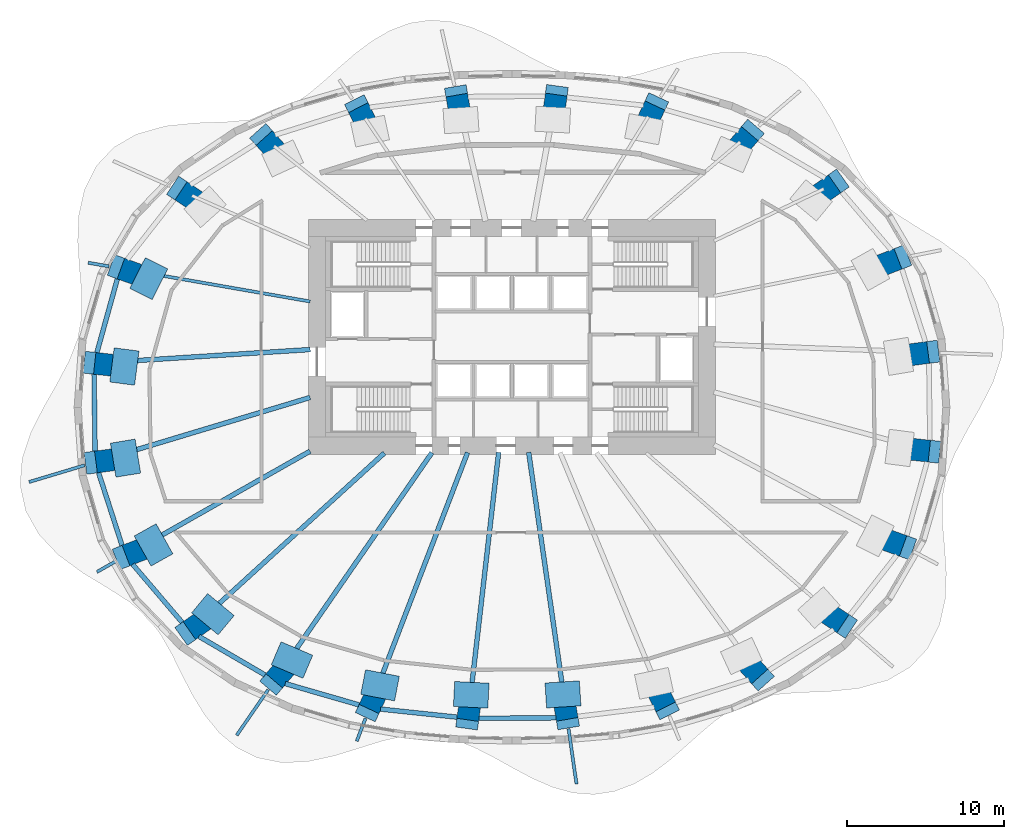
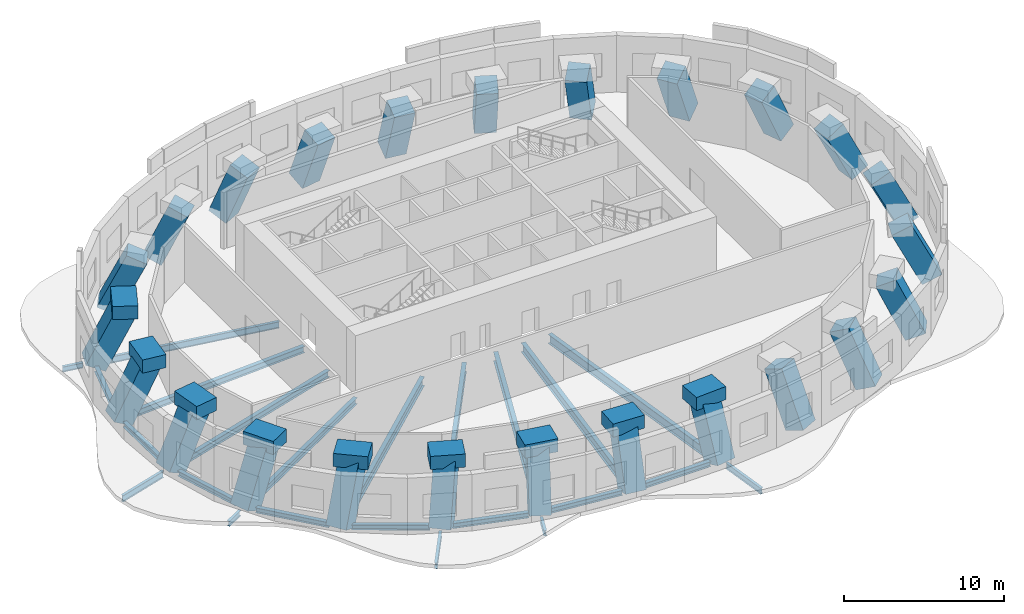
# One storey, part 1 of 9: 32 beams, 24 columns.
"""IFC4 building model written with IfcOpenShell, lengths in metres."""

from ifc_helpers import new_model, si_unit, direction, frame, origin, origin_2d, place, context, subcontext, project, spatial, rectangle, i_section, extrude, material, material_profile, profile_set, type_object, element, save


model = new_model("IFC4")

# Units and contexts
model_context = context("Model", 3, precision=1e-05, world=origin(), true_north=direction((0.0, 1.0)))
body_context = subcontext(model_context, "Body", "Model", "MODEL_VIEW")
ifc_project = project(units=[si_unit("LENGTHUNIT", "METRE"), si_unit("AREAUNIT", "SQUARE_METRE"), si_unit("VOLUMEUNIT", "CUBIC_METRE"), si_unit("PLANEANGLEUNIT", "RADIAN"), si_unit("MASSUNIT", "GRAM", prefix="KILO")], contexts=[model_context])

# Site, building, storey
site_placement = place(None, origin())
site = spatial("IfcSite", under=ifc_project, at=site_placement, CompositionType="ELEMENT")
building_placement = place(site_placement, origin())
building = spatial("IfcBuilding", under=site, at=building_placement, Name="Rubra Terraces Tower", CompositionType="ELEMENT")
storey_placement = place(building_placement, frame((0.0, 0.0, 77.10009765625)))
storey = spatial("IfcBuildingStorey", under=building, at=storey_placement, Name="L17", CompositionType="ELEMENT", Elevation=77.10009765625)

# Columns
ifc_material_1 = material(Name="Concrete C60", Category="concrete")
ifc_material_profile_1 = material_profile(ifc_material_1, rectangle(XDim=1.39990234375, YDim=1.39990234375, at=origin_2d()), Name="RC 1400x1400")
ifc_profile_set_1 = profile_set([ifc_material_profile_1], Name="Concrete C60")
column_type = type_object("IfcColumnType", Name="RING COLUMN RC 1400x1400 C60", PredefinedType="COLUMN", material=ifc_profile_set_1)
column_1_placement = place(storey_placement, frame((26.60498046875, 3.5029296875, -0.486083984375), z_axis=(-0.437424329961, -0.05758776803, 0.897409385137), x_axis=(0.130525663052, -0.99144493104, 0.0)))
element("IfcColumn", 1, at=column_1_placement, inside=storey, type_object=column_type, Name="column-L17-ring-01", PredefinedType="COLUMN", context=body_context, shape_type="SweptSolid", body=[
    extrude(rectangle(XDim=1.39990234375, YDim=1.39990234375, at=origin_2d()), origin(), (0.0, 0.0, 1.0), 4.426025390625),
])
column_2_placement = place(storey_placement, frame((24.676025390625, 9.48291015625, -0.489990234375), z_axis=(-0.406404807836, -0.157350047865, 0.900042273787), x_axis=(0.361058075799, -0.932543331915, 0.0)))
element("IfcColumn", 2, at=column_2_placement, inside=storey, type_object=column_type, Name="column-L17-ring-02", PredefinedType="COLUMN", context=body_context, shape_type="SweptSolid", body=[
    extrude(rectangle(XDim=1.39990234375, YDim=1.39990234375, at=origin_2d()), origin(), (0.0, 0.0, 1.0), 4.421875),
])
column_3_placement = place(storey_placement, frame((20.60009765625, 14.26611328125, -0.503173828125), z_axis=(-0.342028722552, -0.239757870916, 0.908588199507), x_axis=(0.574004932865, -0.818851840718, 0.0)))
element("IfcColumn", 3, at=column_3_placement, inside=storey, type_object=column_type, Name="column-L17-ring-03", PredefinedType="COLUMN", context=body_context, shape_type="SweptSolid", body=[
    extrude(rectangle(XDim=1.39990234375, YDim=1.39990234375, at=origin_2d()), origin(), (0.0, 0.0, 1.0), 4.4091796875),
])
column_4_placement = place(storey_placement, frame((15.156982421875, 17.44091796875, -0.52099609375), z_axis=(-0.253907371745, -0.297161134657, 0.920448970135), x_axis=(0.760269764075, -0.649607485974, 0.0)))
element("IfcColumn", 4, at=column_4_placement, inside=storey, type_object=column_type, Name="column-L17-ring-04", PredefinedType="COLUMN", context=body_context, shape_type="SweptSolid", body=[
    extrude(rectangle(XDim=1.39990234375, YDim=1.39990234375, at=origin_2d()), origin(), (0.0, 0.0, 1.0), 4.391357421875),
])
column_5_placement = place(storey_placement, frame((9.093994140625, 19.19189453125, -0.541015625), z_axis=(-0.15334867667, -0.329320740959, 0.931682366978), x_axis=(0.906535510121, -0.422129564104, 0.0)))
element("IfcColumn", 5, at=column_5_placement, inside=storey, type_object=column_type, Name="column-L17-ring-05", PredefinedType="COLUMN", context=body_context, shape_type="SweptSolid", body=[
    extrude(rectangle(XDim=1.39990234375, YDim=1.39990234375, at=origin_2d()), origin(), (0.0, 0.0, 1.0), 4.38134765625),
])
column_6_placement = place(storey_placement, frame((2.81103515625, 19.85400390625, -0.552978515625), z_axis=(-0.047767571246, -0.341962239014, 0.938498847216), x_axis=(0.990384307253, -0.138343499838, 0.0)))
element("IfcColumn", 6, at=column_6_placement, inside=storey, type_object=column_type, Name="column-L17-ring-06", PredefinedType="COLUMN", context=body_context, shape_type="SweptSolid", body=[
    extrude(rectangle(XDim=1.39990234375, YDim=1.39990234375, at=origin_2d()), origin(), (0.0, 0.0, 1.0), 4.375),
])
column_7_placement = place(storey_placement, frame((-3.509033203125, 19.823974609375, -0.552978515625), z_axis=(0.058291782188, -0.341327670053, 0.938135112756), x_axis=(0.985728602585, 0.168342276467, 0.0)))
element("IfcColumn", 7, at=column_7_placement, inside=storey, type_object=column_type, Name="column-L17-ring-07", PredefinedType="COLUMN", context=body_context, shape_type="SweptSolid", body=[
    extrude(rectangle(XDim=1.39990234375, YDim=1.39990234375, at=origin_2d()), origin(), (0.0, 0.0, 1.0), 4.376708984375),
])
column_8_placement = place(storey_placement, frame((-9.780029296875, 19.05810546875, -0.5390625), z_axis=(0.163654041419, -0.327085196844, 0.930716191292), x_axis=(0.894305276314, 0.447457341829, 0.0)))
element("IfcColumn", 8, at=column_8_placement, inside=storey, type_object=column_type, Name="column-L17-ring-08", PredefinedType="COLUMN", context=body_context, shape_type="SweptSolid", body=[
    extrude(rectangle(XDim=1.39990234375, YDim=1.39990234375, at=origin_2d()), origin(), (0.0, 0.0, 1.0), 4.38134765625),
])
column_9_placement = place(storey_placement, frame((-15.799072265625, 17.1650390625, -0.52001953125), z_axis=(0.263090632585, -0.292205625505, 0.919455921439), x_axis=(0.743160626591, 0.669113057028, 0.0)))
element("IfcColumn", 9, at=column_9_placement, inside=storey, type_object=column_type, Name="column-L17-ring-09", PredefinedType="COLUMN", context=body_context, shape_type="SweptSolid", body=[
    extrude(rectangle(XDim=1.39990234375, YDim=1.39990234375, at=origin_2d()), origin(), (0.0, 0.0, 1.0), 4.39404296875),
])
column_10_placement = place(storey_placement, frame((-21.135009765625, 13.81689453125, -0.5009765625), z_axis=(0.349660781427, -0.232848835763, 0.907479342804), x_axis=(0.554274366932, 0.832334023191, 0.0)))
element("IfcColumn", 10, at=column_10_placement, inside=storey, type_object=column_type, Name="column-L17-ring-10", PredefinedType="COLUMN", context=body_context, shape_type="SweptSolid", body=[
    extrude(rectangle(XDim=1.39990234375, YDim=1.39990234375, at=origin_2d()), origin(), (0.0, 0.0, 1.0), 4.409912109375),
])
column_11_placement = place(storey_placement, frame((-25.0029296875, 8.865966796875, -0.489013671875), z_axis=(0.411038008835, -0.148329187448, 0.899469959167), x_axis=(0.339439573807, 0.940627862512, 0.0)))
element("IfcColumn", 11, at=column_11_placement, inside=storey, type_object=column_type, Name="column-L17-ring-11", PredefinedType="COLUMN", context=body_context, shape_type="SweptSolid", body=[
    extrude(rectangle(XDim=1.39990234375, YDim=1.39990234375, at=origin_2d()), origin(), (0.0, 0.0, 1.0), 4.422607421875),
])
column_12_placement = place(storey_placement, frame((-26.68408203125, 2.80810546875, -0.486083984375), z_axis=(0.438598518342, -0.047219259427, 0.897441742537), x_axis=(0.107040869818, 0.994254621407, 0.0)))
element("IfcColumn", 12, at=column_12_placement, inside=storey, type_object=column_type, Name="column-L17-ring-12", PredefinedType="COLUMN", context=body_context, shape_type="SweptSolid", body=[
    extrude(rectangle(XDim=1.39990234375, YDim=1.39990234375, at=origin_2d()), origin(), (0.0, 0.0, 1.0), 4.42578125),
])
column_13_placement = place(storey_placement, frame((-26.60498046875, -3.5029296875, -0.486083984375), z_axis=(0.437424329961, 0.05758776803, 0.897409385137), x_axis=(-0.130525663052, 0.99144493104, 0.0)))
element("IfcColumn", 13, at=column_13_placement, inside=storey, type_object=column_type, Name="column-L17-ring-13", PredefinedType="COLUMN", context=body_context, shape_type="SweptSolid", body=[
    extrude(rectangle(XDim=1.39990234375, YDim=1.39990234375, at=origin_2d()), origin(), (0.0, 0.0, 1.0), 4.426025390625),
])
column_14_placement = place(storey_placement, frame((-24.676025390625, -9.48291015625, -0.489990234375), z_axis=(0.406404807836, 0.157350047865, 0.900042273787), x_axis=(-0.361058075799, 0.932543331915, 0.0)))
element("IfcColumn", 14, at=column_14_placement, inside=storey, type_object=column_type, Name="column-L17-ring-14", PredefinedType="COLUMN", context=body_context, shape_type="SweptSolid", body=[
    extrude(rectangle(XDim=1.39990234375, YDim=1.39990234375, at=origin_2d()), origin(), (0.0, 0.0, 1.0), 4.421875),
])
column_15_placement = place(storey_placement, frame((-20.60009765625, -14.26611328125, -0.503173828125), z_axis=(0.342028722552, 0.239757870916, 0.908588199507), x_axis=(-0.574004932865, 0.818851840718, 0.0)))
element("IfcColumn", 15, at=column_15_placement, inside=storey, type_object=column_type, Name="column-L17-ring-15", PredefinedType="COLUMN", context=body_context, shape_type="SweptSolid", body=[
    extrude(rectangle(XDim=1.39990234375, YDim=1.39990234375, at=origin_2d()), origin(), (0.0, 0.0, 1.0), 4.4091796875),
])
column_16_placement = place(storey_placement, frame((-15.156982421875, -17.44091796875, -0.52099609375), z_axis=(0.253907371745, 0.297161134657, 0.920448970135), x_axis=(-0.760269764075, 0.649607485974, 0.0)))
element("IfcColumn", 16, at=column_16_placement, inside=storey, type_object=column_type, Name="column-L17-ring-16", PredefinedType="COLUMN", context=body_context, shape_type="SweptSolid", body=[
    extrude(rectangle(XDim=1.39990234375, YDim=1.39990234375, at=origin_2d()), origin(), (0.0, 0.0, 1.0), 4.391357421875),
])
column_17_placement = place(storey_placement, frame((-9.093994140625, -19.19189453125, -0.541015625), z_axis=(0.15334867667, 0.329320740959, 0.931682366978), x_axis=(-0.906535510121, 0.422129564104, 0.0)))
element("IfcColumn", 17, at=column_17_placement, inside=storey, type_object=column_type, Name="column-L17-ring-17", PredefinedType="COLUMN", context=body_context, shape_type="SweptSolid", body=[
    extrude(rectangle(XDim=1.39990234375, YDim=1.39990234375, at=origin_2d()), origin(), (0.0, 0.0, 1.0), 4.38134765625),
])
column_18_placement = place(storey_placement, frame((-2.81103515625, -19.85400390625, -0.552978515625), z_axis=(0.047767571246, 0.341962239014, 0.938498847216), x_axis=(-0.990384307253, 0.138343499838, 0.0)))
element("IfcColumn", 18, at=column_18_placement, inside=storey, type_object=column_type, Name="column-L17-ring-18", PredefinedType="COLUMN", context=body_context, shape_type="SweptSolid", body=[
    extrude(rectangle(XDim=1.39990234375, YDim=1.39990234375, at=origin_2d()), origin(), (0.0, 0.0, 1.0), 4.375),
])
column_19_placement = place(storey_placement, frame((3.509033203125, -19.823974609375, -0.552978515625), z_axis=(-0.058291782188, 0.341327670053, 0.938135112756), x_axis=(-0.985728602585, -0.168342276467, 0.0)))
element("IfcColumn", 19, at=column_19_placement, inside=storey, type_object=column_type, Name="column-L17-ring-19", PredefinedType="COLUMN", context=body_context, shape_type="SweptSolid", body=[
    extrude(rectangle(XDim=1.39990234375, YDim=1.39990234375, at=origin_2d()), origin(), (0.0, 0.0, 1.0), 4.376708984375),
])
column_20_placement = place(storey_placement, frame((9.780029296875, -19.05810546875, -0.5390625), z_axis=(-0.163654041419, 0.327085196844, 0.930716191292), x_axis=(-0.894305276314, -0.447457341829, 0.0)))
element("IfcColumn", 20, at=column_20_placement, inside=storey, type_object=column_type, Name="column-L17-ring-20", PredefinedType="COLUMN", context=body_context, shape_type="SweptSolid", body=[
    extrude(rectangle(XDim=1.39990234375, YDim=1.39990234375, at=origin_2d()), origin(), (0.0, 0.0, 1.0), 4.38134765625),
])
column_21_placement = place(storey_placement, frame((15.799072265625, -17.1650390625, -0.52001953125), z_axis=(-0.263090632585, 0.292205625505, 0.919455921439), x_axis=(-0.743160626591, -0.669113057028, 0.0)))
element("IfcColumn", 21, at=column_21_placement, inside=storey, type_object=column_type, Name="column-L17-ring-21", PredefinedType="COLUMN", context=body_context, shape_type="SweptSolid", body=[
    extrude(rectangle(XDim=1.39990234375, YDim=1.39990234375, at=origin_2d()), origin(), (0.0, 0.0, 1.0), 4.39404296875),
])
column_22_placement = place(storey_placement, frame((21.135009765625, -13.81689453125, -0.5009765625), z_axis=(-0.349660781427, 0.232848835763, 0.907479342804), x_axis=(-0.554274366932, -0.832334023191, 0.0)))
element("IfcColumn", 22, at=column_22_placement, inside=storey, type_object=column_type, Name="column-L17-ring-22", PredefinedType="COLUMN", context=body_context, shape_type="SweptSolid", body=[
    extrude(rectangle(XDim=1.39990234375, YDim=1.39990234375, at=origin_2d()), origin(), (0.0, 0.0, 1.0), 4.409912109375),
])
column_23_placement = place(storey_placement, frame((25.0029296875, -8.865966796875, -0.489013671875), z_axis=(-0.411038008835, 0.148329187448, 0.899469959167), x_axis=(-0.339439573807, -0.940627862512, 0.0)))
element("IfcColumn", 23, at=column_23_placement, inside=storey, type_object=column_type, Name="column-L17-ring-23", PredefinedType="COLUMN", context=body_context, shape_type="SweptSolid", body=[
    extrude(rectangle(XDim=1.39990234375, YDim=1.39990234375, at=origin_2d()), origin(), (0.0, 0.0, 1.0), 4.422607421875),
])
column_24_placement = place(storey_placement, frame((26.68408203125, -2.80810546875, -0.486083984375), z_axis=(-0.438598518342, 0.047219259427, 0.897441742537), x_axis=(-0.107040869818, -0.994254621407, 0.0)))
element("IfcColumn", 24, at=column_24_placement, inside=storey, type_object=column_type, Name="column-L17-ring-24", PredefinedType="COLUMN", context=body_context, shape_type="SweptSolid", body=[
    extrude(rectangle(XDim=1.39990234375, YDim=1.39990234375, at=origin_2d()), origin(), (0.0, 0.0, 1.0), 4.42578125),
])

# Beams
ifc_material_2 = material(Name="Steel Q355B", Category="steel")
ifc_material_profile_2 = material_profile(ifc_material_2, i_section(OverallWidth=0.199951171875, OverallDepth=0.39990234375, WebThickness=0.008056640625, FlangeThickness=0.012939453125, at=origin_2d()), Name="HN 400x200x8x13")
ifc_profile_set_2 = profile_set([ifc_material_profile_2], Name="Steel Q355B")
beam_type_1 = type_object("IfcBeamType", Name="CANTILEVER BEAM HN 400x200x8x13", PredefinedType="BEAM", material=ifc_profile_set_2)
beam_1_placement = place(storey_placement, frame((-9.34912109375, -19.85498046875, -0.5), z_axis=(-0.357892993059, -0.933762606619, 0.0), x_axis=(0.933762606619, -0.357892993059, 0.0)))
element("IfcBeam", 25, at=beam_1_placement, inside=storey, type_object=beam_type_1, Name="beam-L17-cant-17", PredefinedType="BEAM", context=body_context, shape_type="SweptSolid", body=[
    extrude(i_section(OverallWidth=0.199951171875, OverallDepth=0.39990234375, WebThickness=0.008056640625, FlangeThickness=0.012939453125, at=origin_2d()), origin(), (0.0, 0.0, 1.0), 1.56689453125),
])
ifc_material_profile_3 = material_profile(ifc_material_2, i_section(OverallWidth=0.198974609375, OverallDepth=0.446044921875, WebThickness=0.008056640625, FlangeThickness=0.011962890625, at=origin_2d()), Name="HN 446x199x8x12")
ifc_profile_set_3 = profile_set([ifc_material_profile_3], Name="Steel Q355B")
beam_type_2 = type_object("IfcBeamType", Name="CANTILEVER BEAM HN 446x199x8x12", PredefinedType="BEAM", material=ifc_profile_set_3)
beam_2_placement = place(storey_placement, frame((-15.56298828125, -18.029052734375, -0.523193359375), z_axis=(-0.568398748682, -0.822753220897, 0.0), x_axis=(0.822753220897, -0.568398748682, 0.0)))
element("IfcBeam", 26, at=beam_2_placement, inside=storey, type_object=beam_type_2, Name="beam-L17-cant-16", PredefinedType="BEAM", context=body_context, shape_type="SweptSolid", body=[
    extrude(i_section(OverallWidth=0.198974609375, OverallDepth=0.446044921875, WebThickness=0.008056640625, FlangeThickness=0.011962890625, at=origin_2d()), origin(), (0.0, 0.0, 1.0), 3.5380859375),
])
beam_3_placement = place(storey_placement, frame((3.60888671875, -20.51904296875, -0.523193359375), z_axis=(0.142763269487, -0.98975686352, 0.0), x_axis=(0.98975686352, 0.142763269487, 0.0)))
element("IfcBeam", 27, at=beam_3_placement, inside=storey, type_object=beam_type_2, Name="beam-L17-cant-19", PredefinedType="BEAM", context=body_context, shape_type="SweptSolid", body=[
    extrude(i_section(OverallWidth=0.198974609375, OverallDepth=0.446044921875, WebThickness=0.008056640625, FlangeThickness=0.011962890625, at=origin_2d()), origin(), (0.0, 0.0, 1.0), 3.565673828125),
])
ifc_material_profile_4 = material_profile(ifc_material_2, i_section(OverallWidth=0.198974609375, OverallDepth=0.49609375, WebThickness=0.009033203125, FlangeThickness=0.013916015625, at=origin_2d()), Name="HN 496x199x9x14")
ifc_profile_set_4 = profile_set([ifc_material_profile_4], Name="Steel Q355B")
beam_type_3 = type_object("IfcBeamType", Name="CANTILEVER BEAM HN 496x199x9x14", PredefinedType="BEAM", material=ifc_profile_set_4)
beam_4_placement = place(storey_placement, frame((-27.281005859375, -3.7060546875, -0.548095703125), z_axis=(-0.957593698742, -0.28812203687, 0.0), x_axis=(0.28812203687, -0.957593698742, 0.0)))
element("IfcBeam", 28, at=beam_4_placement, inside=storey, type_object=beam_type_3, Name="beam-L17-cant-13", PredefinedType="BEAM", context=body_context, shape_type="SweptSolid", body=[
    extrude(i_section(OverallWidth=0.198974609375, OverallDepth=0.49609375, WebThickness=0.009033203125, FlangeThickness=0.013916015625, at=origin_2d()), origin(), (0.0, 0.0, 1.0), 3.702880859375),
])
ifc_material_profile_5 = material_profile(ifc_material_2, i_section(OverallWidth=0.199951171875, OverallDepth=0.39990234375, WebThickness=0.008056640625, FlangeThickness=0.012939453125, at=origin_2d()), Name="HN 400x200x8x13")
ifc_profile_set_5 = profile_set([ifc_material_profile_5], Name="Steel Q355B")
beam_type_4 = type_object("IfcBeamType", Name="CANTILEVER STUB HN 400x200x8x13", PredefinedType="BEAM", material=ifc_profile_set_5)
beam_5_placement = place(storey_placement, frame((-25.722900390625, 8.991943359375, -0.5), z_axis=(-0.985082654441, 0.172081852383, 0.0), x_axis=(-0.172081852383, -0.985082654441, 0.0)))
element("IfcBeam", 29, at=beam_5_placement, inside=storey, type_object=beam_type_4, Name="beam-L17-cant-11", PredefinedType="BEAM", context=body_context, shape_type="SweptSolid", body=[
    extrude(i_section(OverallWidth=0.199951171875, OverallDepth=0.39990234375, WebThickness=0.008056640625, FlangeThickness=0.012939453125, at=origin_2d()), origin(), (0.0, 0.0, 1.0), 1.34912109375),
])
beam_6_placement = place(storey_placement, frame((-25.284912109375, -9.827880859375, -0.5), z_axis=(-0.869861272392, -0.493296428927, 0.0), x_axis=(0.493296428927, -0.869861272392, 0.0)))
element("IfcBeam", 30, at=beam_6_placement, inside=storey, type_object=beam_type_4, Name="beam-L17-cant-14", PredefinedType="BEAM", context=body_context, shape_type="SweptSolid", body=[
    extrude(i_section(OverallWidth=0.199951171875, OverallDepth=0.39990234375, WebThickness=0.008056640625, FlangeThickness=0.012939453125, at=origin_2d()), origin(), (0.0, 0.0, 1.0), 1.388671875),
])
ifc_material_profile_6 = material_profile(ifc_material_2, i_section(OverallWidth=0.300048828125, OverallDepth=0.48193359375, WebThickness=0.010986328125, FlangeThickness=0.014892578125, at=origin_2d()), Name="HM 482x300x11x15")
ifc_profile_set_6 = profile_set([ifc_material_profile_6], Name="Steel Q355B")
beam_type_5 = type_object("IfcBeamType", Name="FLOOR BEAM HM 482x300x11x15", PredefinedType="BEAM", material=ifc_profile_set_6)
beam_7_placement = place(storey_placement, frame((-25.971923828125, 2.85302734375, -0.541015625), z_axis=(0.997996052936, 0.06327620662, 0.0), x_axis=(-0.06327620662, 0.997996052936, 0.0)))
element("IfcBeam", 31, at=beam_7_placement, inside=storey, type_object=beam_type_5, Name="beam-L17-floor-12", PredefinedType="BEAM", context=body_context, shape_type="SweptSolid", body=[
    extrude(i_section(OverallWidth=0.300048828125, OverallDepth=0.48193359375, WebThickness=0.010986328125, FlangeThickness=0.014892578125, at=origin_2d()), origin(), (0.0, 0.0, 1.0), 13.118408203125),
])
beam_8_placement = place(storey_placement, frame((-25.928955078125, -3.300048828125, -0.541015625), z_axis=(0.957605991861, 0.288081176671, 0.0), x_axis=(-0.288081176671, 0.957605991861, 0.0)))
element("IfcBeam", 32, at=beam_8_placement, inside=storey, type_object=beam_type_5, Name="beam-L17-floor-13", PredefinedType="BEAM", context=body_context, shape_type="SweptSolid", body=[
    extrude(i_section(OverallWidth=0.300048828125, OverallDepth=0.48193359375, WebThickness=0.010986328125, FlangeThickness=0.014892578125, at=origin_2d()), origin(), (0.0, 0.0, 1.0), 13.621337890625),
])
beam_9_placement = place(storey_placement, frame((-24.06689453125, -9.137939453125, -0.541015625), z_axis=(0.869992824144, 0.493064383157, 0.0), x_axis=(-0.493064383157, 0.869992824144, 0.0)))
element("IfcBeam", 33, at=beam_9_placement, inside=storey, type_object=beam_type_5, Name="beam-L17-floor-14", PredefinedType="BEAM", context=body_context, shape_type="SweptSolid", body=[
    extrude(i_section(OverallWidth=0.300048828125, OverallDepth=0.48193359375, WebThickness=0.010986328125, FlangeThickness=0.014892578125, at=origin_2d()), origin(), (0.0, 0.0, 1.0), 12.84033203125),
])
ifc_material_profile_7 = material_profile(ifc_material_2, i_section(OverallWidth=0.198974609375, OverallDepth=0.49609375, WebThickness=0.009033203125, FlangeThickness=0.013916015625, at=origin_2d()), Name="HN 496x199x9x14")
ifc_profile_set_7 = profile_set([ifc_material_profile_7], Name="Steel Q355B")
beam_type_6 = type_object("IfcBeamType", Name="FLOOR BEAM HN 496x199x9x14", PredefinedType="BEAM", material=ifc_profile_set_7)
beam_10_placement = place(storey_placement, frame((-24.282958984375, 8.739990234375, -0.548095703125), z_axis=(0.985091834527, -0.172029292701, 0.0), x_axis=(0.172029292701, 0.985091834527, 0.0)))
element("IfcBeam", 34, at=beam_10_placement, inside=storey, type_object=beam_type_6, Name="beam-L17-floor-11", PredefinedType="BEAM", context=body_context, shape_type="SweptSolid", body=[
    extrude(i_section(OverallWidth=0.198974609375, OverallDepth=0.49609375, WebThickness=0.009033203125, FlangeThickness=0.013916015625, at=origin_2d()), origin(), (0.0, 0.0, 1.0), 11.573486328125),
])
ifc_material_profile_8 = material_profile(ifc_material_2, i_section(OverallWidth=0.300048828125, OverallDepth=0.699951171875, WebThickness=0.012939453125, FlangeThickness=0.02392578125, at=origin_2d()), Name="HN 700x300x13x24")
ifc_profile_set_8 = profile_set([ifc_material_profile_8], Name="Steel Q355B")
beam_type_7 = type_object("IfcBeamType", Name="FLOOR BEAM HN 700x300x13x24", PredefinedType="BEAM", material=ifc_profile_set_8)
beam_11_placement = place(storey_placement, frame((-20.077880859375, -13.7900390625, -0.650146484375), z_axis=(0.739256734846, 0.673423700195, 0.0), x_axis=(-0.673423700195, 0.739256734846, 0.0)))
element("IfcBeam", 35, at=beam_11_placement, inside=storey, type_object=beam_type_7, Name="beam-L17-floor-15", PredefinedType="BEAM", context=body_context, shape_type="SweptSolid", body=[
    extrude(i_section(OverallWidth=0.300048828125, OverallDepth=0.699951171875, WebThickness=0.012939453125, FlangeThickness=0.02392578125, at=origin_2d()), origin(), (0.0, 0.0, 1.0), 16.14306640625),
])
beam_12_placement = place(storey_placement, frame((-14.7509765625, -16.85302734375, -0.650146484375), z_axis=(0.568362941886, 0.822777956858, 0.0), x_axis=(-0.822777956858, 0.568362941886, 0.0)))
element("IfcBeam", 36, at=beam_12_placement, inside=storey, type_object=beam_type_7, Name="beam-L17-floor-16", PredefinedType="BEAM", context=body_context, shape_type="SweptSolid", body=[
    extrude(i_section(OverallWidth=0.300048828125, OverallDepth=0.699951171875, WebThickness=0.012939453125, FlangeThickness=0.02392578125, at=origin_2d()), origin(), (0.0, 0.0, 1.0), 16.957275390625),
])
beam_13_placement = place(storey_placement, frame((-8.839111328125, -18.529052734375, -0.650146484375), z_axis=(0.358321803184, 0.933598139117, 0.0), x_axis=(-0.933598139117, 0.358321803184, 0.0)))
element("IfcBeam", 37, at=beam_13_placement, inside=storey, type_object=beam_type_7, Name="beam-L17-floor-17", PredefinedType="BEAM", context=body_context, shape_type="SweptSolid", body=[
    extrude(i_section(OverallWidth=0.300048828125, OverallDepth=0.699951171875, WebThickness=0.012939453125, FlangeThickness=0.02392578125, at=origin_2d()), origin(), (0.0, 0.0, 1.0), 16.753662109375),
])
beam_14_placement = place(storey_placement, frame((-2.73095703125, -19.156982421875, -0.650146484375), z_axis=(0.114679535872, 0.993402538779, 0.0), x_axis=(-0.993402538779, 0.114679535872, 0.0)))
element("IfcBeam", 38, at=beam_14_placement, inside=storey, type_object=beam_type_7, Name="beam-L17-floor-18", PredefinedType="BEAM", context=body_context, shape_type="SweptSolid", body=[
    extrude(i_section(OverallWidth=0.300048828125, OverallDepth=0.699951171875, WebThickness=0.012939453125, FlangeThickness=0.02392578125, at=origin_2d()), origin(), (0.0, 0.0, 1.0), 16.384033203125),
])
beam_15_placement = place(storey_placement, frame((3.408935546875, -19.12890625, -0.650146484375), z_axis=(-0.142787075711, 0.9897534294, 0.0), x_axis=(-0.9897534294, -0.142787075711, 0.0)))
element("IfcBeam", 39, at=beam_15_placement, inside=storey, type_object=beam_type_7, Name="beam-L17-floor-19", PredefinedType="BEAM", context=body_context, shape_type="SweptSolid", body=[
    extrude(i_section(OverallWidth=0.300048828125, OverallDepth=0.699951171875, WebThickness=0.012939453125, FlangeThickness=0.02392578125, at=origin_2d()), origin(), (0.0, 0.0, 1.0), 16.416015625),
])
ifc_material_profile_9 = material_profile(ifc_material_2, i_section(OverallWidth=0.300048828125, OverallDepth=0.389892578125, WebThickness=0.010009765625, FlangeThickness=0.01611328125, at=origin_2d()), Name="HM 390x300x10x16")
ifc_profile_set_9 = profile_set([ifc_material_profile_9], Name="Steel Q355B")
beam_type_8 = type_object("IfcBeamType", Name="SPANDREL BEAM HM 390x300x10x16", PredefinedType="SPANDREL", material=ifc_profile_set_9)
beam_16_placement = place(storey_placement, frame((-25.194091796875, 8.177978515625, -0.4951171875), z_axis=(-0.267364386726, -0.96359549849, 0.0), x_axis=(0.96359549849, -0.267364386726, 0.0)))
element("IfcBeam", 40, at=beam_16_placement, inside=storey, type_object=beam_type_8, Name="beam-L17-spandrel-11", PredefinedType="SPANDREL", context=body_context, shape_type="SweptSolid", body=[
    extrude(i_section(OverallWidth=0.300048828125, OverallDepth=0.389892578125, WebThickness=0.010009765625, FlangeThickness=0.01611328125, at=origin_2d()), origin(), (0.0, 0.0, 1.0), 4.8662109375),
])
beam_17_placement = place(storey_placement, frame((-26.675048828125, 2.10107421875, -0.4951171875), z_axis=(0.012465372298, -0.999922304228, 0.0), x_axis=(0.999922304228, 0.012465372298, 0.0)))
element("IfcBeam", 41, at=beam_17_placement, inside=storey, type_object=beam_type_8, Name="beam-L17-spandrel-12", PredefinedType="SPANDREL", context=body_context, shape_type="SweptSolid", body=[
    extrude(i_section(OverallWidth=0.300048828125, OverallDepth=0.389892578125, WebThickness=0.010009765625, FlangeThickness=0.01611328125, at=origin_2d()), origin(), (0.0, 0.0, 1.0), 4.896484375),
])
beam_18_placement = place(storey_placement, frame((-26.387939453125, -4.177001953125, -0.4951171875), z_axis=(0.30706880261, -0.951687317591, 0.0), x_axis=(0.951687317591, 0.30706880261, 0.0)))
element("IfcBeam", 42, at=beam_18_placement, inside=storey, type_object=beam_type_8, Name="beam-L17-spandrel-13", PredefinedType="SPANDREL", context=body_context, shape_type="SweptSolid", body=[
    extrude(i_section(OverallWidth=0.300048828125, OverallDepth=0.389892578125, WebThickness=0.010009765625, FlangeThickness=0.01611328125, at=origin_2d()), origin(), (0.0, 0.0, 1.0), 4.86181640625),
])
beam_19_placement = place(storey_placement, frame((-24.212890625, -10.02587890625, -0.4951171875), z_axis=(0.648447050824, -0.761259760054, 0.0), x_axis=(0.761259760054, 0.648447050824, 0.0)))
element("IfcBeam", 43, at=beam_19_placement, inside=storey, type_object=beam_type_8, Name="beam-L17-spandrel-14", PredefinedType="SPANDREL", context=body_context, shape_type="SweptSolid", body=[
    extrude(i_section(OverallWidth=0.300048828125, OverallDepth=0.389892578125, WebThickness=0.010009765625, FlangeThickness=0.01611328125, at=origin_2d()), origin(), (0.0, 0.0, 1.0), 4.860595703125),
])
beam_20_placement = place(storey_placement, frame((-19.987060546875, -14.6240234375, -0.4951171875), z_axis=(0.863806081452, -0.503824427402, 0.0), x_axis=(0.503824427402, 0.863806081452, 0.0)))
element("IfcBeam", 44, at=beam_20_placement, inside=storey, type_object=beam_type_8, Name="beam-L17-spandrel-15", PredefinedType="SPANDREL", context=body_context, shape_type="SweptSolid", body=[
    extrude(i_section(OverallWidth=0.300048828125, OverallDepth=0.389892578125, WebThickness=0.010009765625, FlangeThickness=0.01611328125, at=origin_2d()), origin(), (0.0, 0.0, 1.0), 4.886474609375),
])
beam_21_placement = place(storey_placement, frame((-14.47900390625, -17.636962890625, -0.4951171875), z_axis=(0.960743980202, -0.277436487337, 0.0), x_axis=(0.277436487337, 0.960743980202, 0.0)))
element("IfcBeam", 45, at=beam_21_placement, inside=storey, type_object=beam_type_8, Name="beam-L17-spandrel-16", PredefinedType="SPANDREL", context=body_context, shape_type="SweptSolid", body=[
    extrude(i_section(OverallWidth=0.300048828125, OverallDepth=0.389892578125, WebThickness=0.010009765625, FlangeThickness=0.01611328125, at=origin_2d()), origin(), (0.0, 0.0, 1.0), 4.90234375),
])
beam_22_placement = place(storey_placement, frame((-8.39501953125, -19.26611328125, -0.4951171875), z_axis=(0.994495375694, -0.104780473964, 0.0), x_axis=(0.104780473964, 0.994495375694, 0.0)))
element("IfcBeam", 46, at=beam_22_placement, inside=storey, type_object=beam_type_8, Name="beam-L17-spandrel-17", PredefinedType="SPANDREL", context=body_context, shape_type="SweptSolid", body=[
    extrude(i_section(OverallWidth=0.300048828125, OverallDepth=0.389892578125, WebThickness=0.010009765625, FlangeThickness=0.01611328125, at=origin_2d()), origin(), (0.0, 0.0, 1.0), 4.9140625),
])
beam_23_placement = place(storey_placement, frame((-2.110107421875, -19.85107421875, -0.4951171875), z_axis=(0.999987924698, 0.004914311469, 0.0), x_axis=(-0.004914311469, 0.999987924698, 0.0)))
element("IfcBeam", 47, at=beam_23_placement, inside=storey, type_object=beam_type_8, Name="beam-L17-spandrel-18", PredefinedType="SPANDREL", context=body_context, shape_type="SweptSolid", body=[
    extrude(i_section(OverallWidth=0.300048828125, OverallDepth=0.389892578125, WebThickness=0.010009765625, FlangeThickness=0.01611328125, at=origin_2d()), origin(), (0.0, 0.0, 1.0), 4.918212890625),
])
ifc_material_profile_10 = material_profile(ifc_material_1, rectangle(XDim=1.60009765625, YDim=1.0, at=origin_2d()), Name="RC 1600x1000")
ifc_profile_set_10 = profile_set([ifc_material_profile_10], Name="Concrete C60")
beam_type_9 = type_object("IfcBeamType", Name="TRANSFER NODE RC 1600x1000 C60", PredefinedType="BEAM", material=ifc_profile_set_10)
beam_24_placement = place(storey_placement, frame((-22.68896484375, 9.19189453125, 3.7998046875), z_axis=(-0.450849534663, -0.892599964763, 0.0), x_axis=(0.892599964763, -0.450849534663, 0.0)))
element("IfcBeam", 48, at=beam_24_placement, inside=storey, type_object=beam_type_9, Name="node-L17-hi-11", PredefinedType="BEAM", context=body_context, shape_type="SweptSolid", body=[
    extrude(rectangle(XDim=1.60009765625, YDim=1.0, at=origin_2d()), origin(), (0.0, 0.0, 1.0), 2.2001953125),
])
beam_25_placement = place(storey_placement, frame((-24.60205078125, 3.68994140625, 3.7998046875), z_axis=(-0.128172037745, -0.991751949199, 0.0), x_axis=(0.991751949199, -0.128172037745, 0.0)))
element("IfcBeam", 49, at=beam_25_placement, inside=storey, type_object=beam_type_9, Name="node-L17-hi-12", PredefinedType="BEAM", context=body_context, shape_type="SweptSolid", body=[
    extrude(rectangle(XDim=1.60009765625, YDim=1.0, at=origin_2d()), origin(), (0.0, 0.0, 1.0), 2.199951171875),
])
beam_26_placement = place(storey_placement, frame((-24.846923828125, -2.162109375, 3.7998046875), z_axis=(0.161736066413, -0.986834051308, 0.0), x_axis=(0.986834051308, 0.161736066413, 0.0)))
element("IfcBeam", 50, at=beam_26_placement, inside=storey, type_object=beam_type_9, Name="node-L17-hi-13", PredefinedType="BEAM", context=body_context, shape_type="SweptSolid", body=[
    extrude(rectangle(XDim=1.60009765625, YDim=1.0, at=origin_2d()), origin(), (0.0, 0.0, 1.0), 2.200927734375),
])
beam_27_placement = place(storey_placement, frame((-23.416015625, -7.826904296875, 3.7998046875), z_axis=(0.488147131439, -0.8727613523, 0.0), x_axis=(0.8727613523, 0.488147131439, 0.0)))
element("IfcBeam", 51, at=beam_27_placement, inside=storey, type_object=beam_type_9, Name="node-L17-hi-14", PredefinedType="BEAM", context=body_context, shape_type="SweptSolid", body=[
    extrude(rectangle(XDim=1.60009765625, YDim=1.0, at=origin_2d()), origin(), (0.0, 0.0, 1.0), 2.2001953125),
])
beam_28_placement = place(storey_placement, frame((-19.93798828125, -12.506103515625, 3.7998046875), z_axis=(0.769093852867, -0.639135858392, 0.0), x_axis=(0.639135858392, 0.769093852867, 0.0)))
element("IfcBeam", 52, at=beam_28_placement, inside=storey, type_object=beam_type_9, Name="node-L17-hi-15", PredefinedType="BEAM", context=body_context, shape_type="SweptSolid", body=[
    extrude(rectangle(XDim=1.60009765625, YDim=1.0, at=origin_2d()), origin(), (0.0, 0.0, 1.0), 2.199951171875),
])
beam_29_placement = place(storey_placement, frame((-15.053955078125, -15.705078125, 3.7998046875), z_axis=(0.920061023385, -0.391775079922, 0.0), x_axis=(0.391775079922, 0.920061023385, 0.0)))
element("IfcBeam", 53, at=beam_29_placement, inside=storey, type_object=beam_type_9, Name="node-L17-hi-16", PredefinedType="BEAM", context=body_context, shape_type="SweptSolid", body=[
    extrude(rectangle(XDim=1.60009765625, YDim=1.0, at=origin_2d()), origin(), (0.0, 0.0, 1.0), 2.19970703125),
])
beam_30_placement = place(storey_placement, frame((-9.501953125, -17.5390625, 3.7998046875), z_axis=(0.981620586462, -0.190842930792, 0.0), x_axis=(0.190842930792, 0.981620586462, 0.0)))
element("IfcBeam", 54, at=beam_30_placement, inside=storey, type_object=beam_type_9, Name="node-L17-hi-17", PredefinedType="BEAM", context=body_context, shape_type="SweptSolid", body=[
    extrude(rectangle(XDim=1.60009765625, YDim=1.0, at=origin_2d()), origin(), (0.0, 0.0, 1.0), 2.200439453125),
])
beam_31_placement = place(storey_placement, frame((-3.700927734375, -18.302978515625, 3.7998046875), z_axis=(0.998747631469, -0.050031676307, 0.0), x_axis=(0.050031676307, 0.998747631469, 0.0)))
element("IfcBeam", 55, at=beam_31_placement, inside=storey, type_object=beam_type_9, Name="node-L17-hi-18", PredefinedType="BEAM", context=body_context, shape_type="SweptSolid", body=[
    extrude(rectangle(XDim=1.60009765625, YDim=1.0, at=origin_2d()), origin(), (0.0, 0.0, 1.0), 2.20068359375),
])
beam_32_placement = place(storey_placement, frame((2.156005859375, -18.39892578125, 3.7998046875), z_axis=(0.998033102297, 0.062689127604, 0.0), x_axis=(-0.062689127604, 0.998033102297, 0.0)))
element("IfcBeam", 56, at=beam_32_placement, inside=storey, type_object=beam_type_9, Name="node-L17-hi-19", PredefinedType="BEAM", context=body_context, shape_type="SweptSolid", body=[
    extrude(rectangle(XDim=1.60009765625, YDim=1.0, at=origin_2d()), origin(), (0.0, 0.0, 1.0), 2.200439453125),
])

save(model, "model.ifc")
